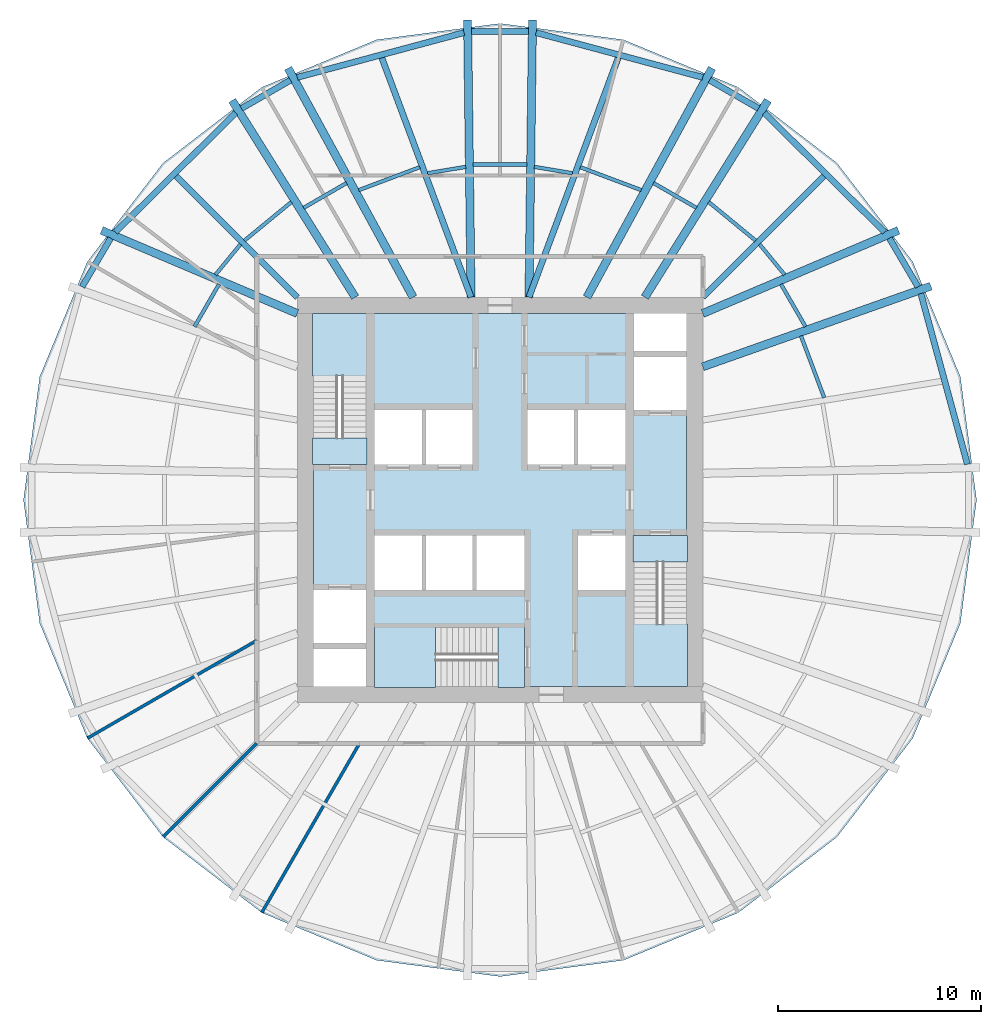
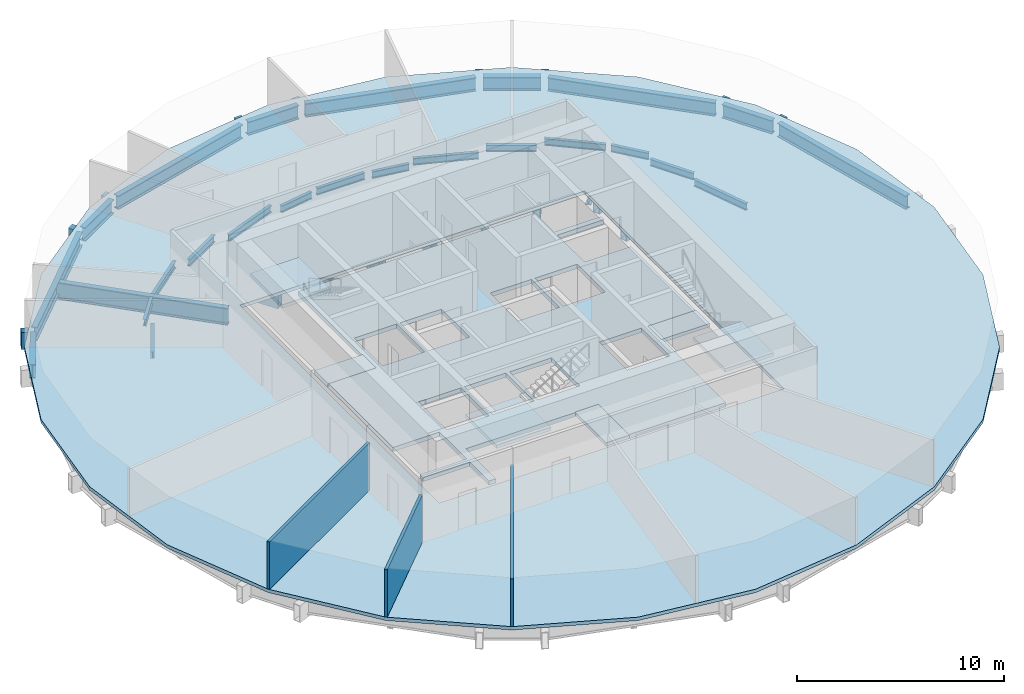
# One storey, part 2 of 6: 37 beams, 8 slabs, 3 walls, 3 elements without a shape of their own.
"""IFC4 building model written with IfcOpenShell, lengths in metres."""

from ifc_helpers import new_model, si_unit, direction, frame, frame_2d, origin, origin_2d, place, context, subcontext, project, spatial, polyline, rectangle, hollow_rectangle, i_section, outline, extrude, material, layer, layer_set, material_profile, profile_set, type_object, element, aggregate, save


model = new_model("IFC4")

# Units and contexts
model_context = context("Model", 3, precision=1e-05, world=origin(), true_north=direction((0.0, 1.0)))
body_context = subcontext(model_context, "Body", "Model", "MODEL_VIEW")
ifc_project = project(units=[si_unit("LENGTHUNIT", "METRE"), si_unit("AREAUNIT", "SQUARE_METRE"), si_unit("VOLUMEUNIT", "CUBIC_METRE"), si_unit("PLANEANGLEUNIT", "RADIAN"), si_unit("MASSUNIT", "GRAM", prefix="KILO")], contexts=[model_context])

# Site, building, storey
site_placement = place(None, origin())
site = spatial("IfcSite", under=ifc_project, at=site_placement, CompositionType="ELEMENT")
building_placement = place(site_placement, origin())
building = spatial("IfcBuilding", under=site, at=building_placement, Name="Golbaran Civic Tower", CompositionType="ELEMENT")
storey_placement = place(building_placement, frame((0.0, 0.0, 57.0)))
storey = spatial("IfcBuildingStorey", under=building, at=storey_placement, Name="L13", CompositionType="ELEMENT", Elevation=57.0)

# Beams
ifc_material_1 = material(Name="Steel S355", Category="steel")
ifc_material_profile_1 = material_profile(ifc_material_1, i_section(OverallWidth=0.300048828125, OverallDepth=0.800048828125, WebThickness=0.017578125, FlangeThickness=0.032958984375, FilletRadius=0.030029296875, at=origin_2d()), Name="HEB 800")
ifc_profile_set_1 = profile_set([ifc_material_profile_1], Name="Steel S355")
beam_type_1 = type_object("IfcBeamType", Name="EDGE BEAM HEB 800", PredefinedType="BEAM", material=ifc_profile_set_1)
beam_1_placement = place(storey_placement, frame((23.050048828125, 1.76416015625, -0.60009765625), z_axis=(-0.262977706755, 0.964801910109, 0.0), x_axis=(-0.964801910109, -0.262977706755, 0.0)))
element("IfcBeam", 1, at=beam_1_placement, inside=storey, type_object=beam_type_1, Name="Edge beam 3.79 L13", PredefinedType="BEAM", context=body_context, shape_type="SweptSolid", body=[
    extrude(i_section(OverallWidth=0.300048828125, OverallDepth=0.800048828125, WebThickness=0.017578125, FlangeThickness=0.032958984375, FilletRadius=0.030029296875, at=origin_2d()), origin(), (0.0, 0.0, 1.0), 8.724853515625),
])
beam_2_placement = place(storey_placement, frame((20.614990234375, 10.51416015625, -0.60009765625), z_axis=(-0.507031629301, 0.861927448738, 0.0), x_axis=(-0.861927448738, -0.507031629301, 0.0)))
element("IfcBeam", 2, at=beam_2_placement, inside=storey, type_object=beam_type_1, Name="Edge beam 26.21 L13", PredefinedType="BEAM", context=body_context, shape_type="SweptSolid", body=[
    extrude(i_section(OverallWidth=0.300048828125, OverallDepth=0.800048828125, WebThickness=0.017578125, FlangeThickness=0.032958984375, FilletRadius=0.030029296875, at=origin_2d()), origin(), (0.0, 0.0, 1.0), 2.78271484375),
])
beam_3_placement = place(storey_placement, frame((18.973876953125, 13.2060546875, -0.60009765625), z_axis=(-0.710079737992, 0.704121272007, 0.0), x_axis=(-0.704121272007, -0.710079737992, 0.0)))
element("IfcBeam", 3, at=beam_3_placement, inside=storey, type_object=beam_type_1, Name="Edge beam 33.79 L13", PredefinedType="BEAM", context=body_context, shape_type="SweptSolid", body=[
    extrude(i_section(OverallWidth=0.300048828125, OverallDepth=0.800048828125, WebThickness=0.017578125, FlangeThickness=0.032958984375, FilletRadius=0.030029296875, at=origin_2d()), origin(), (0.0, 0.0, 1.0), 8.358642578125),
])
beam_4_placement = place(storey_placement, frame((12.751708984375, 19.3115234375, -0.60009765625), z_axis=(-0.866210360515, 0.499679508622, 0.0), x_axis=(-0.499679508622, -0.866210360515, 0.0)))
element("IfcBeam", 4, at=beam_4_placement, inside=storey, type_object=beam_type_1, Name="Edge beam 56.21 L13", PredefinedType="BEAM", context=body_context, shape_type="SweptSolid", body=[
    extrude(i_section(OverallWidth=0.300048828125, OverallDepth=0.800048828125, WebThickness=0.017578125, FlangeThickness=0.032958984375, FilletRadius=0.030029296875, at=origin_2d()), origin(), (0.0, 0.0, 1.0), 2.788818359375),
])
beam_5_placement = place(storey_placement, frame((10.001220703125, 20.84326171875, -0.60009765625), z_axis=(-0.965854734036, 0.259084219395, 0.0), x_axis=(-0.259084219395, -0.965854734036, 0.0)))
element("IfcBeam", 5, at=beam_5_placement, inside=storey, type_object=beam_type_1, Name="Edge beam 63.79 L13", PredefinedType="BEAM", context=body_context, shape_type="SweptSolid", body=[
    extrude(i_section(OverallWidth=0.300048828125, OverallDepth=0.800048828125, WebThickness=0.017578125, FlangeThickness=0.032958984375, FilletRadius=0.030029296875, at=origin_2d()), origin(), (0.0, 0.0, 1.0), 8.517578125),
])
beam_6_placement = place(storey_placement, frame((1.4150390625, 23.09814453125, -0.60009765625), z_axis=(-1.0, 0.0, 0.0), x_axis=(0.0, -1.0, 0.0)))
element("IfcBeam", 6, at=beam_6_placement, inside=storey, type_object=beam_type_1, Name="Edge beam 86.21 L13", PredefinedType="BEAM", context=body_context, shape_type="SweptSolid", body=[
    extrude(i_section(OverallWidth=0.300048828125, OverallDepth=0.800048828125, WebThickness=0.017578125, FlangeThickness=0.032958984375, FilletRadius=0.030029296875, at=origin_2d()), origin(), (0.0, 0.0, 1.0), 2.830078125),
])
beam_7_placement = place(storey_placement, frame((-1.7744140625, 23.050048828125, -0.60009765625), z_axis=(-0.965854734036, -0.259084219395, 0.0), x_axis=(0.259084219395, -0.965854734036, 0.0)))
element("IfcBeam", 7, at=beam_7_placement, inside=storey, type_object=beam_type_1, Name="Edge beam 93.79 L13", PredefinedType="BEAM", context=body_context, shape_type="SweptSolid", body=[
    extrude(i_section(OverallWidth=0.300048828125, OverallDepth=0.800048828125, WebThickness=0.017578125, FlangeThickness=0.032958984375, FilletRadius=0.030029296875, at=origin_2d()), origin(), (0.0, 0.0, 1.0), 8.517578125),
])
beam_8_placement = place(storey_placement, frame((-10.3359375, 20.705078125, -0.60009765625), z_axis=(-0.866210360515, -0.499679508622, 0.0), x_axis=(0.499679508622, -0.866210360515, 0.0)))
element("IfcBeam", 8, at=beam_8_placement, inside=storey, type_object=beam_type_1, Name="Edge beam 116.21 L13", PredefinedType="BEAM", context=body_context, shape_type="SweptSolid", body=[
    extrude(i_section(OverallWidth=0.300048828125, OverallDepth=0.800048828125, WebThickness=0.017578125, FlangeThickness=0.032958984375, FilletRadius=0.030029296875, at=origin_2d()), origin(), (0.0, 0.0, 1.0), 2.788818359375),
])
beam_9_placement = place(storey_placement, frame((-13.03857421875, 19.091552734375, -0.60009765625), z_axis=(-0.710079737992, -0.704121272007, 0.0), x_axis=(0.704121272007, -0.710079737992, 0.0)))
element("IfcBeam", 9, at=beam_9_placement, inside=storey, type_object=beam_type_1, Name="Edge beam 123.79 L13", PredefinedType="BEAM", context=body_context, shape_type="SweptSolid", body=[
    extrude(i_section(OverallWidth=0.300048828125, OverallDepth=0.800048828125, WebThickness=0.017578125, FlangeThickness=0.032958984375, FilletRadius=0.030029296875, at=origin_2d()), origin(), (0.0, 0.0, 1.0), 8.358642578125),
])
beam_10_placement = place(storey_placement, frame((-19.2041015625, 12.91259765625, -0.60009765625), z_axis=(-0.507031629301, -0.861927448738, 0.0), x_axis=(0.861927448738, -0.507031629301, 0.0)))
element("IfcBeam", 10, at=beam_10_placement, inside=storey, type_object=beam_type_1, Name="Edge beam 146.21 L13", PredefinedType="BEAM", context=body_context, shape_type="SweptSolid", body=[
    extrude(i_section(OverallWidth=0.300048828125, OverallDepth=0.800048828125, WebThickness=0.017578125, FlangeThickness=0.032958984375, FilletRadius=0.030029296875, at=origin_2d()), origin(), (0.0, 0.0, 1.0), 2.78271484375),
])
ifc_material_profile_2 = material_profile(ifc_material_1, i_section(OverallWidth=0.179931640625, OverallDepth=0.39990234375, WebThickness=0.008544921875, FlangeThickness=0.013427734375, FilletRadius=0.02099609375, at=origin_2d()), Name="IPE 400")
ifc_profile_set_2 = profile_set([ifc_material_profile_2], Name="Steel S355")
beam_type_2 = type_object("IfcBeamType", Name="FLOOR INFILL BEAM IPE 400", PredefinedType="BEAM", material=ifc_profile_set_2)
beam_11_placement = place(storey_placement, frame((15.990234375, 5.045166015625, -0.39990234375), z_axis=(-0.351903983924, 0.936036102989, 0.0), x_axis=(-0.936036102989, -0.351903983924, 0.0)))
element("IfcBeam", 11, at=beam_11_placement, inside=storey, type_object=beam_type_2, Name="Infill beam 20.61 L13", PredefinedType="BEAM", context=body_context, shape_type="SweptSolid", body=[
    extrude(i_section(OverallWidth=0.179931640625, OverallDepth=0.39990234375, WebThickness=0.008544921875, FlangeThickness=0.013427734375, FilletRadius=0.02099609375, at=origin_2d()), origin(), (0.0, 0.0, 1.0), 3.255859375),
])
beam_12_placement = place(storey_placement, frame((15.065673828125, 8.552734375, -0.39990234375), z_axis=(-0.499979289244, 0.866037360815, 0.0), x_axis=(-0.866037360815, -0.499979289244, 0.0)))
element("IfcBeam", 12, at=beam_12_placement, inside=storey, type_object=beam_type_2, Name="Infill beam 30.00 L13", PredefinedType="BEAM", context=body_context, shape_type="SweptSolid", body=[
    extrude(i_section(OverallWidth=0.179931640625, OverallDepth=0.39990234375, WebThickness=0.008544921875, FlangeThickness=0.013427734375, FilletRadius=0.02099609375, at=origin_2d()), origin(), (0.0, 0.0, 1.0), 2.41357421875),
])
beam_13_placement = place(storey_placement, frame((14.03662109375, 11.109619140625, -0.39990234375), z_axis=(-0.634710038932, 0.772750390798, 0.0), x_axis=(-0.772750390798, -0.634710038932, 0.0)))
element("IfcBeam", 13, at=beam_13_placement, inside=storey, type_object=beam_type_2, Name="Infill beam 39.39 L13", PredefinedType="BEAM", context=body_context, shape_type="SweptSolid", body=[
    extrude(i_section(OverallWidth=0.179931640625, OverallDepth=0.39990234375, WebThickness=0.008544921875, FlangeThickness=0.013427734375, FilletRadius=0.02099609375, at=origin_2d()), origin(), (0.0, 0.0, 1.0), 1.948974609375),
])
beam_14_placement = place(storey_placement, frame((12.609130859375, 12.79296875, -0.39990234375), z_axis=(-0.772824623288, 0.634619651161, 0.0), x_axis=(-0.634619651161, -0.772824623288, 0.0)))
element("IfcBeam", 14, at=beam_14_placement, inside=storey, type_object=beam_type_2, Name="Infill beam 50.61 L13", PredefinedType="BEAM", context=body_context, shape_type="SweptSolid", body=[
    extrude(i_section(OverallWidth=0.179931640625, OverallDepth=0.39990234375, WebThickness=0.008544921875, FlangeThickness=0.013427734375, FilletRadius=0.02099609375, at=origin_2d()), origin(), (0.0, 0.0, 1.0), 2.99951171875),
])
beam_15_placement = place(storey_placement, frame((9.6875, 14.41015625, -0.39990234375), z_axis=(-0.866037799547, 0.499978529295, 0.0), x_axis=(-0.499978529295, -0.866037799547, 0.0)))
element("IfcBeam", 15, at=beam_15_placement, inside=storey, type_object=beam_type_2, Name="Infill beam 60.00 L13", PredefinedType="BEAM", context=body_context, shape_type="SweptSolid", body=[
    extrude(i_section(OverallWidth=0.179931640625, OverallDepth=0.39990234375, WebThickness=0.008544921875, FlangeThickness=0.013427734375, FilletRadius=0.02099609375, at=origin_2d()), origin(), (0.0, 0.0, 1.0), 2.4482421875),
])
beam_16_placement = place(storey_placement, frame((6.965576171875, 15.28369140625, -0.39990234375), z_axis=(-0.936029093935, 0.351922626876, 0.0), x_axis=(-0.351922626876, -0.936029093935, 0.0)))
element("IfcBeam", 16, at=beam_16_placement, inside=storey, type_object=beam_type_2, Name="Infill beam 69.39 L13", PredefinedType="BEAM", context=body_context, shape_type="SweptSolid", body=[
    extrude(i_section(OverallWidth=0.179931640625, OverallDepth=0.39990234375, WebThickness=0.008544921875, FlangeThickness=0.013427734375, FilletRadius=0.02099609375, at=origin_2d()), origin(), (0.0, 0.0, 1.0), 3.21337890625),
])
beam_17_placement = place(storey_placement, frame((3.569580078125, 16.11767578125, -0.39990234375), z_axis=(-0.986580330605, 0.163276609664, 0.0), x_axis=(-0.163276609664, -0.986580330605, 0.0)))
element("IfcBeam", 17, at=beam_17_placement, inside=storey, type_object=beam_type_2, Name="Infill beam 80.61 L13", PredefinedType="BEAM", context=body_context, shape_type="SweptSolid", body=[
    extrude(i_section(OverallWidth=0.179931640625, OverallDepth=0.39990234375, WebThickness=0.008544921875, FlangeThickness=0.013427734375, FilletRadius=0.02099609375, at=origin_2d()), origin(), (0.0, 0.0, 1.0), 1.905029296875),
])
beam_18_placement = place(storey_placement, frame((1.331787109375, 16.549072265625, -0.39990234375), z_axis=(-1.0, 0.0, 0.0), x_axis=(0.0, -1.0, 0.0)))
element("IfcBeam", 18, at=beam_18_placement, inside=storey, type_object=beam_type_2, Name="Infill beam 90.00 L13", PredefinedType="BEAM", context=body_context, shape_type="SweptSolid", body=[
    extrude(i_section(OverallWidth=0.179931640625, OverallDepth=0.39990234375, WebThickness=0.008544921875, FlangeThickness=0.013427734375, FilletRadius=0.02099609375, at=origin_2d()), origin(), (0.0, 0.0, 1.0), 2.66357421875),
])
beam_19_placement = place(storey_placement, frame((-1.690185546875, 16.4287109375, -0.39990234375), z_axis=(-0.986580330605, -0.163276609664, 0.0), x_axis=(0.163276609664, -0.986580330605, 0.0)))
element("IfcBeam", 19, at=beam_19_placement, inside=storey, type_object=beam_type_2, Name="Infill beam 99.39 L13", PredefinedType="BEAM", context=body_context, shape_type="SweptSolid", body=[
    extrude(i_section(OverallWidth=0.179931640625, OverallDepth=0.39990234375, WebThickness=0.008544921875, FlangeThickness=0.013427734375, FilletRadius=0.02099609375, at=origin_2d()), origin(), (0.0, 0.0, 1.0), 1.905029296875),
])
beam_20_placement = place(storey_placement, frame((-3.957763671875, 16.41455078125, -0.39990234375), z_axis=(-0.936029093935, -0.351922626876, 0.0), x_axis=(0.351922626876, -0.936029093935, 0.0)))
element("IfcBeam", 20, at=beam_20_placement, inside=storey, type_object=beam_type_2, Name="Infill beam 110.61 L13", PredefinedType="BEAM", context=body_context, shape_type="SweptSolid", body=[
    extrude(i_section(OverallWidth=0.179931640625, OverallDepth=0.39990234375, WebThickness=0.008544921875, FlangeThickness=0.013427734375, FilletRadius=0.02099609375, at=origin_2d()), origin(), (0.0, 0.0, 1.0), 3.21337890625),
])
beam_21_placement = place(storey_placement, frame((-7.567138671875, 15.63427734375, -0.39990234375), z_axis=(-0.866037799547, -0.499978529295, 0.0), x_axis=(0.499978529295, -0.866037799547, 0.0)))
element("IfcBeam", 21, at=beam_21_placement, inside=storey, type_object=beam_type_2, Name="Infill beam 120.00 L13", PredefinedType="BEAM", context=body_context, shape_type="SweptSolid", body=[
    extrude(i_section(OverallWidth=0.179931640625, OverallDepth=0.39990234375, WebThickness=0.008544921875, FlangeThickness=0.013427734375, FilletRadius=0.02099609375, at=origin_2d()), origin(), (0.0, 0.0, 1.0), 2.4482421875),
])
beam_22_placement = place(storey_placement, frame((-10.291015625, 14.696533203125, -0.39990234375), z_axis=(-0.772824623288, -0.634619651161, 0.0), x_axis=(0.634619651161, -0.772824623288, 0.0)))
element("IfcBeam", 22, at=beam_22_placement, inside=storey, type_object=beam_type_2, Name="Infill beam 129.39 L13", PredefinedType="BEAM", context=body_context, shape_type="SweptSolid", body=[
    extrude(i_section(OverallWidth=0.179931640625, OverallDepth=0.39990234375, WebThickness=0.008544921875, FlangeThickness=0.013427734375, FilletRadius=0.02099609375, at=origin_2d()), origin(), (0.0, 0.0, 1.0), 2.99951171875),
])
beam_23_placement = place(storey_placement, frame((-12.799560546875, 12.61572265625, -0.39990234375), z_axis=(-0.634710038932, -0.772750390798, 0.0), x_axis=(0.772750390798, -0.634710038932, 0.0)))
element("IfcBeam", 23, at=beam_23_placement, inside=storey, type_object=beam_type_2, Name="Infill beam 140.61 L13", PredefinedType="BEAM", context=body_context, shape_type="SweptSolid", body=[
    extrude(i_section(OverallWidth=0.179931640625, OverallDepth=0.39990234375, WebThickness=0.008544921875, FlangeThickness=0.013427734375, FilletRadius=0.02099609375, at=origin_2d()), origin(), (0.0, 0.0, 1.0), 1.948974609375),
])
beam_24_placement = place(storey_placement, frame((-13.85888671875, 10.64306640625, -0.39990234375), z_axis=(-0.499979289244, -0.866037360815, 0.0), x_axis=(0.866037360815, -0.499979289244, 0.0)))
element("IfcBeam", 24, at=beam_24_placement, inside=storey, type_object=beam_type_2, Name="Infill beam 150.00 L13", PredefinedType="BEAM", context=body_context, shape_type="SweptSolid", body=[
    extrude(i_section(OverallWidth=0.179931640625, OverallDepth=0.39990234375, WebThickness=0.008544921875, FlangeThickness=0.013427734375, FilletRadius=0.02099609375, at=origin_2d()), origin(), (0.0, 0.0, 1.0), 2.41357421875),
])
ifc_material_profile_3 = material_profile(ifc_material_1, hollow_rectangle(XDim=0.39990234375, YDim=1.0, WallThickness=0.0400390625, at=origin_2d()), Name="BOX 1000x400x40")
ifc_profile_set_3 = profile_set([ifc_material_profile_3], Name="Steel S355")
beam_type_3 = type_object("IfcBeamType", Name="RADIAL FLOOR BEAM BOX 1000x400x40", PredefinedType="BEAM", material=ifc_profile_set_3)
beam_25_placement = place(storey_placement, frame((10.0, 6.571533203125, -0.7099609375), z_axis=(0.942842566298, 0.333238495941, 0.0), x_axis=(-0.333238495941, 0.942842566298, 0.0)))
element("IfcBeam", 25, at=beam_25_placement, inside=storey, type_object=beam_type_3, Name="Radial beam 26.21 L13", PredefinedType="BEAM", context=body_context, shape_type="SweptSolid", body=[
    extrude(hollow_rectangle(XDim=0.39990234375, YDim=1.0, WallThickness=0.0400390625, at=origin_2d()), origin(), (0.0, 0.0, 1.0), 11.933837890625),
])
beam_26_placement = place(storey_placement, frame((10.0, 9.199951171875, -0.7099609375), z_axis=(0.920455139767, 0.390848225884, 0.0), x_axis=(-0.390848225884, 0.920455139767, 0.0)))
element("IfcBeam", 26, at=beam_26_placement, inside=storey, type_object=beam_type_3, Name="Radial beam 33.79 L13", PredefinedType="BEAM", context=body_context, shape_type="SweptSolid", body=[
    extrude(hollow_rectangle(XDim=0.39990234375, YDim=1.0, WallThickness=0.0400390625, at=origin_2d()), origin(), (0.0, 0.0, 1.0), 10.484619140625),
])
beam_27_placement = place(storey_placement, frame((7.142822265625, 10.0, -0.7099609375), z_axis=(0.530087114347, 0.847943188665, 0.0), x_axis=(-0.847943188665, 0.530087114347, 0.0)))
element("IfcBeam", 27, at=beam_27_placement, inside=storey, type_object=beam_type_3, Name="Radial beam 56.21 L13", PredefinedType="BEAM", context=body_context, shape_type="SweptSolid", body=[
    extrude(hollow_rectangle(XDim=0.39990234375, YDim=1.0, WallThickness=0.0400390625, at=origin_2d()), origin(), (0.0, 0.0, 1.0), 11.4482421875),
])
beam_28_placement = place(storey_placement, frame((4.28564453125, 10.0, -0.7099609375), z_axis=(0.479230785466, 0.877688927959, 0.0), x_axis=(-0.877688927959, 0.479230785466, 0.0)))
element("IfcBeam", 28, at=beam_28_placement, inside=storey, type_object=beam_type_3, Name="Radial beam 63.79 L13", PredefinedType="BEAM", context=body_context, shape_type="SweptSolid", body=[
    extrude(hollow_rectangle(XDim=0.39990234375, YDim=1.0, WallThickness=0.0400390625, at=origin_2d()), origin(), (0.0, 0.0, 1.0), 12.873046875),
])
for number, where, z_axis, x_axis, name in (
    (29, (1.428466796875, 10.0, -0.7099609375), (0.012713031206, 0.999919186153, 0.0), (-0.999919186153, 0.012713031206, 0.0), "Radial beam 86.21 L13"),
    (30, (-1.428466796875, 10.0, -0.7099609375), (-0.012713031206, 0.999919186153, 0.0), (-0.999919186153, -0.012713031206, 0.0), "Radial beam 93.79 L13"),
):
    element("IfcBeam", number, at=place(storey_placement, frame(where, z_axis=z_axis, x_axis=x_axis)), inside=storey, type_object=beam_type_3, Name=name, PredefinedType="BEAM", context=body_context, shape_type="SweptSolid", body=[
        extrude(hollow_rectangle(XDim=0.39990234375, YDim=1.0, WallThickness=0.0400390625, at=origin_2d()), origin(), (0.0, 0.0, 1.0), 13.67333984375),
    ])
beam_29_placement = place(storey_placement, frame((-4.28564453125, 10.0, -0.7099609375), z_axis=(-0.479230785466, 0.877688927959, 0.0), x_axis=(-0.877688927959, -0.479230785466, 0.0)))
element("IfcBeam", 31, at=beam_29_placement, inside=storey, type_object=beam_type_3, Name="Radial beam 116.21 L13", PredefinedType="BEAM", context=body_context, shape_type="SweptSolid", body=[
    extrude(hollow_rectangle(XDim=0.39990234375, YDim=1.0, WallThickness=0.0400390625, at=origin_2d()), origin(), (0.0, 0.0, 1.0), 12.873046875),
])
beam_30_placement = place(storey_placement, frame((-7.142822265625, 10.0, -0.7099609375), z_axis=(-0.530087114347, 0.847943188665, 0.0), x_axis=(-0.847943188665, -0.530087114347, 0.0)))
element("IfcBeam", 32, at=beam_30_placement, inside=storey, type_object=beam_type_3, Name="Radial beam 123.79 L13", PredefinedType="BEAM", context=body_context, shape_type="SweptSolid", body=[
    extrude(hollow_rectangle(XDim=0.39990234375, YDim=1.0, WallThickness=0.0400390625, at=origin_2d()), origin(), (0.0, 0.0, 1.0), 11.4482421875),
])
beam_31_placement = place(storey_placement, frame((-10.0, 9.199951171875, -0.7099609375), z_axis=(-0.920455139767, 0.390848225884, 0.0), x_axis=(-0.390848225884, -0.920455139767, 0.0)))
element("IfcBeam", 33, at=beam_31_placement, inside=storey, type_object=beam_type_3, Name="Radial beam 146.21 L13", PredefinedType="BEAM", context=body_context, shape_type="SweptSolid", body=[
    extrude(hollow_rectangle(XDim=0.39990234375, YDim=1.0, WallThickness=0.0400390625, at=origin_2d()), origin(), (0.0, 0.0, 1.0), 10.484619140625),
])
ifc_material_profile_4 = material_profile(ifc_material_1, i_section(OverallWidth=0.300048828125, OverallDepth=1.0, WebThickness=0.01904296875, FlangeThickness=0.035888671875, FilletRadius=0.030029296875, at=origin_2d()), Name="HEB 1000")
ifc_profile_set_4 = profile_set([ifc_material_profile_4], Name="Steel S355")
beam_type_4 = type_object("IfcBeamType", Name="SECONDARY FLOOR BEAM HEB 1000", PredefinedType="BEAM", material=ifc_profile_set_4)
beam_32_placement = place(storey_placement, frame((10.0, 10.0, -0.7099609375), z_axis=(0.707106781187, 0.707106781187, 0.0), x_axis=(-0.707106781187, 0.707106781187, 0.0)))
element("IfcBeam", 34, at=beam_32_placement, inside=storey, type_object=beam_type_4, Name="Secondary beam 45.00 L13", PredefinedType="BEAM", context=body_context, shape_type="SweptSolid", body=[
    extrude(i_section(OverallWidth=0.300048828125, OverallDepth=1.0, WebThickness=0.01904296875, FlangeThickness=0.035888671875, FilletRadius=0.030029296875, at=origin_2d()), origin(), (0.0, 0.0, 1.0), 8.595458984375),
])
for number, where, z_axis, x_axis, name in (
    (35, (1.428466796875, 10.0, -0.7099609375), (0.34919440542, 0.93705030133, 0.0), (-0.93705030133, 0.34919440542, 0.0), "Secondary beam 75.00 L13"),
    (36, (-1.428466796875, 10.0, -0.7099609375), (-0.34919440542, 0.93705030133, 0.0), (-0.93705030133, -0.34919440542, 0.0), "Secondary beam 105.00 L13"),
):
    element("IfcBeam", number, at=place(storey_placement, frame(where, z_axis=z_axis, x_axis=x_axis)), inside=storey, type_object=beam_type_4, Name=name, PredefinedType="BEAM", context=body_context, shape_type="SweptSolid", body=[
        extrude(i_section(OverallWidth=0.300048828125, OverallDepth=1.0, WebThickness=0.01904296875, FlangeThickness=0.035888671875, FilletRadius=0.030029296875, at=origin_2d()), origin(), (0.0, 0.0, 1.0), 12.751220703125),
    ])
beam_33_placement = place(storey_placement, frame((-10.0, 10.0, -0.7099609375), z_axis=(-0.707106781187, 0.707106781187, 0.0), x_axis=(-0.707106781187, -0.707106781187, 0.0)))
element("IfcBeam", 37, at=beam_33_placement, inside=storey, type_object=beam_type_4, Name="Secondary beam 135.00 L13", PredefinedType="BEAM", context=body_context, shape_type="SweptSolid", body=[
    extrude(i_section(OverallWidth=0.300048828125, OverallDepth=1.0, WebThickness=0.01904296875, FlangeThickness=0.035888671875, FilletRadius=0.030029296875, at=origin_2d()), origin(), (0.0, 0.0, 1.0), 8.595458984375),
])

# Slabs
ifc_material_2 = material(Name="Concrete LC30/33 lightweight on steel deck", Category="concrete")
ifc_layer_1 = layer(ifc_material_2, 0.199951171875, Name="Concrete LC30/33 lightweight on steel deck")
ifc_layer_set_1 = layer_set([ifc_layer_1], Name="Concrete LC30/33 lightweight on steel deck")
slab_type_1 = type_object("IfcSlabType", Name="COMPOSITE FLOOR SLAB 200", PredefinedType="FLOOR", material=ifc_layer_set_1)
slab_1_placement = place(storey_placement, frame((0.0, 0.0, -0.199951171875)))
element("IfcSlab", 38, at=slab_1_placement, inside=storey, type_object=slab_type_1, Name="Floor slab L13", PredefinedType="FLOOR", context=body_context, shape_type="SweptSolid", body=[
    extrude(outline(polyline([(20.355224609375, -11.752197265625), (16.6201171875, -16.6201171875), (11.752197265625, -20.355224609375), (6.083251953125, -22.703369140625), (0.0, -23.50439453125), (-6.083251953125, -22.703369140625), (-11.752197265625, -20.355224609375), (-16.6201171875, -16.6201171875), (-20.355224609375, -11.752197265625), (-22.703369140625, -6.083251953125), (-23.50439453125, 0.0), (-22.703369140625, 6.083251953125), (-20.355224609375, 11.752197265625), (-16.6201171875, 16.6201171875), (-11.752197265625, 20.355224609375), (-6.083251953125, 22.703369140625), (0.0, 23.50439453125), (6.083251953125, 22.703369140625), (11.752197265625, 20.355224609375), (16.6201171875, 16.6201171875), (20.355224609375, 11.752197265625), (22.703369140625, 6.083251953125), (23.50439453125, 0.0), (22.703369140625, -6.083251953125), (20.355224609375, -11.752197265625)]), holes=[polyline([(-9.60009765625, 9.60009765625), (-9.60009765625, -9.60009765625), (9.60009765625, -9.60009765625), (9.60009765625, 9.60009765625), (-9.60009765625, 9.60009765625)])]), origin(), (0.0, 0.0, 1.0), 0.199951171875),
])
ifc_material_3 = material(Name="Concrete C35/45", Category="concrete")
ifc_layer_2 = layer(ifc_material_3, 0.25, Name="Concrete C35/45")
ifc_layer_set_2 = layer_set([ifc_layer_2], Name="Concrete C35/45")
slab_type_2 = type_object("IfcSlabType", Name="CORE FLOOR SLAB 250", PredefinedType="FLOOR", material=ifc_layer_set_2)
slab_2_placement = place(storey_placement, frame((0.0, 0.0, -0.25)))
element("IfcSlab", 39, at=slab_2_placement, inside=storey, type_object=slab_type_2, Name="Core floor slab L13", PredefinedType="FLOOR", context=body_context, shape_type="SweptSolid", body=[
    extrude(outline(polyline([(6.60009765625, -1.75), (6.60009765625, -9.199951171875), (1.199951171875, -9.199951171875), (1.199951171875, -6.300048828125), (-6.199951171875, -6.300048828125), (-6.199951171875, -9.199951171875), (-6.60009765625, -9.199951171875), (-6.60009765625, -7.35009765625), (-9.199951171875, -7.35009765625), (-9.199951171875, -7.050048828125), (-6.60009765625, -7.050048828125), (-6.60009765625, -4.449951171875), (-9.199951171875, -4.449951171875), (-9.199951171875, 1.75), (-6.60009765625, 1.75), (-6.60009765625, 9.199951171875), (6.60009765625, 9.199951171875), (6.60009765625, 7.35009765625), (9.199951171875, 7.35009765625), (9.199951171875, 7.050048828125), (6.60009765625, 7.050048828125), (6.60009765625, 4.449951171875), (9.199951171875, 4.449951171875), (9.199951171875, -1.75), (6.60009765625, -1.75)]), holes=[polyline([(6.199951171875, -1.75), (3.85009765625, -1.75), (3.85009765625, -4.449951171875), (6.199951171875, -4.449951171875), (6.199951171875, -1.75)]), polyline([(6.199951171875, 4.449951171875), (3.85009765625, 4.449951171875), (3.85009765625, 1.75), (6.199951171875, 1.75), (6.199951171875, 4.449951171875)]), polyline([(3.64990234375, 4.449951171875), (1.35009765625, 4.449951171875), (1.35009765625, 1.75), (3.64990234375, 1.75), (3.64990234375, 4.449951171875)]), polyline([(1.199951171875, -1.75), (-1.14990234375, -1.75), (-1.14990234375, -4.449951171875), (1.199951171875, -4.449951171875), (1.199951171875, -1.75)]), polyline([(-1.35009765625, 4.449951171875), (-3.64990234375, 4.449951171875), (-3.64990234375, 1.75), (-1.35009765625, 1.75), (-1.35009765625, 4.449951171875)]), polyline([(-1.35009765625, -1.75), (-3.64990234375, -1.75), (-3.64990234375, -4.449951171875), (-1.35009765625, -4.449951171875), (-1.35009765625, -1.75)]), polyline([(-3.85009765625, -1.75), (-6.199951171875, -1.75), (-6.199951171875, -4.449951171875), (-3.85009765625, -4.449951171875), (-3.85009765625, -1.75)]), polyline([(-3.85009765625, 4.449951171875), (-6.199951171875, 4.449951171875), (-6.199951171875, 1.75), (-3.85009765625, 1.75), (-3.85009765625, 4.449951171875)])]), origin(), (0.0, 0.0, 1.0), 0.25),
])

# Stair, slab
stair_type_1 = type_object("IfcStairType", Name="EXIT STAIR 2600 x 7450, 4000 RISE", PredefinedType="HALF_TURN_STAIR", material=ifc_material_3)
stair_1_placement = place(storey_placement, origin())
stair_1 = element("IfcStair", 40, at=stair_1_placement, inside=storey, type_object=stair_type_1, Name="Stair S1 L13", PredefinedType="HALF_TURN_STAIR")
ifc_layer_3 = layer(ifc_material_3, 0.199951171875, Name="Concrete C35/45")
ifc_layer_set_3 = layer_set([ifc_layer_3], Name="Concrete C35/45")
slab_type_3 = type_object("IfcSlabType", Name="STAIR LANDING 200", PredefinedType="LANDING", material=ifc_layer_set_3)
slab_3_placement = place(storey_placement, frame((0.0, 0.0, 1.800048828125)))
slab_3 = element("IfcSlab", 41, at=slab_3_placement, type_object=slab_type_3, Name="ST26074-40 landing 1", PredefinedType="LANDING", context=body_context, shape_type="SweptSolid", body=[
    extrude(outline(polyline([(-9.25, 6.125), (-9.25, 9.199951171875), (-6.550048828125, 9.199951171875), (-6.550048828125, 6.125), (-9.25, 6.125)])), origin(), (0.0, 0.0, 1.0), 0.199951171875),
])
aggregate(stair_1, [slab_3])

# Slab
slab_4_placement = place(storey_placement, frame((0.0, 0.0, -0.199951171875)))
element("IfcSlab", 42, at=slab_4_placement, inside=storey, type_object=slab_type_3, Name="Stair S1 floor landing L13", PredefinedType="LANDING", context=body_context, shape_type="SweptSolid", body=[
    extrude(outline(polyline([(-9.25, 1.75), (-9.25, 3.054931640625), (-6.550048828125, 3.054931640625), (-6.550048828125, 1.75), (-9.25, 1.75)])), origin(), (0.0, 0.0, 1.0), 0.199951171875),
])

# Stair, slab
stair_2_placement = place(storey_placement, origin())
stair_2 = element("IfcStair", 43, at=stair_2_placement, inside=storey, type_object=stair_type_1, Name="Stair S2 L13", PredefinedType="HALF_TURN_STAIR")
slab_5_placement = place(storey_placement, frame((0.0, 0.0, 1.800048828125)))
slab_5 = element("IfcSlab", 44, at=slab_5_placement, type_object=slab_type_3, Name="ST26074-40 landing 1", PredefinedType="LANDING", context=body_context, shape_type="SweptSolid", body=[
    extrude(outline(polyline([(9.25, -6.125), (9.25, -9.199951171875), (6.550048828125, -9.199951171875), (6.550048828125, -6.125), (9.25, -6.125)])), origin(), (0.0, 0.0, 1.0), 0.199951171875),
])
aggregate(stair_2, [slab_5])

# Slab
slab_6_placement = place(storey_placement, frame((0.0, 0.0, -0.199951171875)))
element("IfcSlab", 45, at=slab_6_placement, inside=storey, type_object=slab_type_3, Name="Stair S2 floor landing L13", PredefinedType="LANDING", context=body_context, shape_type="SweptSolid", body=[
    extrude(outline(polyline([(9.25, -1.75), (9.25, -3.054931640625), (6.550048828125, -3.054931640625), (6.550048828125, -1.75), (9.25, -1.75)])), origin(), (0.0, 0.0, 1.0), 0.199951171875),
])

# Stair, slab
stair_type_2 = type_object("IfcStairType", Name="EXIT STAIR 2900 x 7400, 4000 RISE", PredefinedType="HALF_TURN_STAIR", material=ifc_material_3)
stair_3_placement = place(storey_placement, origin())
stair_3 = element("IfcStair", 46, at=stair_3_placement, inside=storey, type_object=stair_type_2, Name="Stair S3 L13", PredefinedType="HALF_TURN_STAIR")
slab_7_placement = place(storey_placement, frame((0.0, 0.0, 1.800048828125)))
slab_7 = element("IfcSlab", 47, at=slab_7_placement, type_object=slab_type_3, Name="ST29074-40 landing 1", PredefinedType="LANDING", context=body_context, shape_type="SweptSolid", body=[
    extrude(outline(polyline([(-3.175048828125, -9.25), (-6.199951171875, -9.25), (-6.199951171875, -6.25), (-3.175048828125, -6.25), (-3.175048828125, -9.25)])), origin(), (0.0, 0.0, 1.0), 0.199951171875),
])
aggregate(stair_3, [slab_7])

# Slab
slab_8_placement = place(storey_placement, frame((0.0, 0.0, -0.199951171875)))
element("IfcSlab", 48, at=slab_8_placement, inside=storey, type_object=slab_type_3, Name="Stair S3 floor landing L13", PredefinedType="LANDING", context=body_context, shape_type="SweptSolid", body=[
    extrude(outline(polyline([(1.199951171875, -9.25), (-0.10498046875, -9.25), (-0.10498046875, -6.25), (1.199951171875, -6.25), (1.199951171875, -9.25)])), origin(), (0.0, 0.0, 1.0), 0.199951171875),
])

# Walls
ifc_material_4 = material(Name="Gypsum board on steel studs", Category="steel")
ifc_layer_4 = layer(ifc_material_4, 0.14990234375, Name="Gypsum board on steel studs")
ifc_layer_set_4 = layer_set([ifc_layer_4], Name="Gypsum board on steel studs")
wall_type = type_object("IfcWallType", Name="OFFICE PARTITION 150", PredefinedType="PARTITIONING", material=ifc_layer_set_4)
wall_1_placement = place(storey_placement, frame((-12.0, -6.92822265625, 0.0), z_axis=(0.0, 0.0, 1.0), x_axis=(-0.866030350715, -0.499991431567, 0.0)))
element("IfcWall", 49, at=wall_1_placement, inside=storey, type_object=wall_type, Name="Partition 210 L13", PredefinedType="PARTITIONING", context=body_context, shape_type="SweptSolid", body=[
    extrude(rectangle(XDim=9.637939453125, YDim=0.14990234375, at=frame_2d((4.81884765625, 0.0))), origin(), (0.0, 0.0, 1.0), 2.7900390625),
])
wall_2_placement = place(storey_placement, frame((-12.0, -12.0, 0.0), z_axis=(0.0, 0.0, 1.0), x_axis=(-0.707106781187, -0.707106781187, 0.0)))
element("IfcWall", 50, at=wall_2_placement, inside=storey, type_object=wall_type, Name="Partition 225 L13", PredefinedType="PARTITIONING", context=body_context, shape_type="SweptSolid", body=[
    extrude(rectangle(XDim=6.52392578125, YDim=0.14990234375, at=frame_2d((3.261962890625, 0.0))), origin(), (0.0, 0.0, 1.0), 2.7900390625),
])
wall_3_placement = place(storey_placement, frame((-6.92822265625, -12.0, 0.0), z_axis=(0.0, 0.0, 1.0), x_axis=(-0.499991431567, -0.866030350715, 0.0)))
element("IfcWall", 51, at=wall_3_placement, inside=storey, type_object=wall_type, Name="Partition 240 L13", PredefinedType="PARTITIONING", context=body_context, shape_type="SweptSolid", body=[
    extrude(rectangle(XDim=9.637939453125, YDim=0.14990234375, at=frame_2d((4.81884765625, 0.0))), origin(), (0.0, 0.0, 1.0), 2.7900390625),
])

save(model, "model.ifc")
